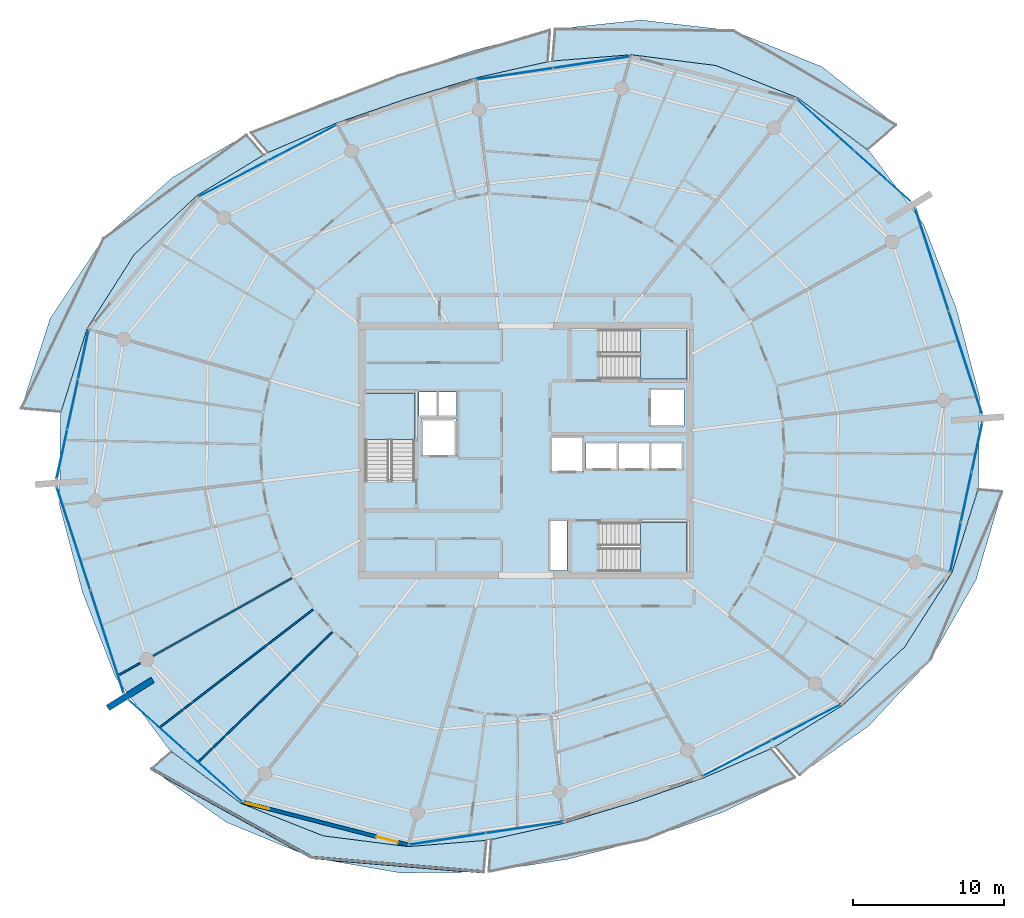
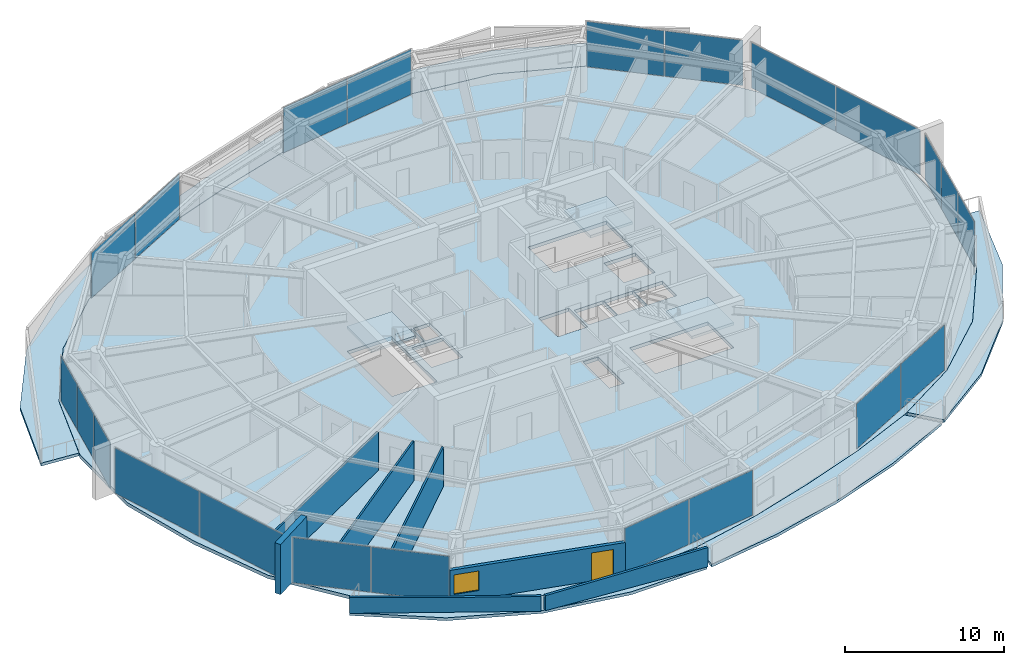
# One storey, part 17 of 30: 22 plates, 10 slabs, 7 walls, 1 door, 1 window, 2 openings, 13 elements without a shape of their own.
"""IFC4 building model written with IfcOpenShell, lengths in metres."""

import ifcopenshell
import ifcopenshell.guid

model = None  # the IFC model being written
_history = None  # IfcOwnerHistory: only IFC2X3 demands one
_inside = {}  # id of a spatial element -> (the spatial element, [elements in it])
_under = {}  # id of a project, library or spatial element -> (it, [spatial elements below it])
_declared = {}  # id of a project -> (the project, [libraries it declares])
_typed = {}  # id of a type object -> (the type object, [elements of that type])
_made_of = {}  # id of a material, layer set ... -> (it, [elements and type objects made of it])


def new_model(schema):
    """Start an empty IFC model of exactly this schema.

    Asked for "IFC4X3", IfcOpenShell would pick the latest addendum, in which some entities
    have other attributes; the version numbers below select the first issue.
    IFC2X3 requires an IfcOwnerHistory on every rooted entity: one is made here for all.
    """
    global model, _history
    if schema == "IFC4X3":
        model = ifcopenshell.file(schema_version=(4, 3, 0, 0))
    else:
        model = ifcopenshell.file(schema=schema)
    _inside.clear()
    _under.clear()
    _declared.clear()
    _typed.clear()
    _made_of.clear()
    _history = None
    if model.schema == "IFC2X3":
        org = make("IfcOrganization", Name="unknown")
        user = make(
            "IfcPersonAndOrganization",
            ThePerson=make("IfcPerson", FamilyName="unknown"),
            TheOrganization=org,
        )
        app = make(
            "IfcApplication",
            ApplicationDeveloper=org,
            Version="unknown",
            ApplicationFullName="unknown",
            ApplicationIdentifier="unknown",
        )
        _history = make(
            "IfcOwnerHistory",
            OwningUser=user,
            OwningApplication=app,
            ChangeAction="ADDED",
            CreationDate=0,
        )
    return model


def make(cls, **values):
    """One entity of the class cls with the attributes given. An attribute that is None is left unset."""
    return model.create_entity(
        cls, **{name: value for name, value in values.items() if value is not None}
    )


def rooted(cls, **values):
    """An entity with a GlobalId (a new one), such as an element, a storey or a relation."""
    return make(cls, GlobalId=ifcopenshell.guid.new(), OwnerHistory=_history, **values)


def si_unit(unit_type, name, prefix=None):
    """IfcSIUnit, for example si_unit("LENGTHUNIT", "METRE", prefix="MILLI")."""
    return make("IfcSIUnit", UnitType=unit_type, Prefix=prefix, Name=name)


def assignment(units):
    """IfcUnitAssignment: the units of a project."""
    return None if units is None else make("IfcUnitAssignment", Units=units)


def point(xyz):
    """IfcCartesianPoint."""
    return None if xyz is None else make("IfcCartesianPoint", Coordinates=xyz)


def direction(xyz):
    """IfcDirection."""
    return None if xyz is None else make("IfcDirection", DirectionRatios=xyz)


def frame(location, z_axis=None, x_axis=None):
    """IfcAxis2Placement3D, a coordinate frame: its origin and axes. An axis left out is left unset."""
    return make(
        "IfcAxis2Placement3D",
        Location=point(location),
        Axis=direction(z_axis),
        RefDirection=direction(x_axis),
    )


def frame_2d(location, x_axis=None):
    """IfcAxis2Placement2D, a coordinate frame in the plane: its origin and x axis."""
    return make(
        "IfcAxis2Placement2D", Location=point(location), RefDirection=direction(x_axis)
    )


def origin():
    """The frame at (0, 0, 0) with its axes left unset."""
    return frame((0.0, 0.0, 0.0))


def origin_2d():
    """The frame at (0, 0) in the plane with its x axis left unset."""
    return frame_2d((0.0, 0.0))


def place(relative_to, where):
    """IfcLocalPlacement: puts the frame where relative to a parent placement (None: the world)."""
    return make(
        "IfcLocalPlacement", PlacementRelTo=relative_to, RelativePlacement=where
    )


def context(
    kind, dimensions, precision=None, world=None, true_north=None, identifier=None
):
    """IfcGeometricRepresentationContext, for example the 3D "Model" context."""
    return make(
        "IfcGeometricRepresentationContext",
        ContextIdentifier=identifier,
        ContextType=kind,
        CoordinateSpaceDimension=dimensions,
        Precision=precision,
        WorldCoordinateSystem=world,
        TrueNorth=true_north,
    )


def subcontext(parent, identifier, kind, view, scale=None):
    """IfcGeometricRepresentationSubContext, for example "Body" below "Model"."""
    return make(
        "IfcGeometricRepresentationSubContext",
        ContextIdentifier=identifier,
        ContextType=kind,
        ParentContext=parent,
        TargetScale=scale,
        TargetView=view,
    )


def project(units=None, contexts=None):
    """IfcProject with its units and contexts."""
    return rooted(
        "IfcProject",
        Name="project",
        RepresentationContexts=contexts,
        UnitsInContext=assignment(units),
    )


def spatial(cls, under=None, at=None, **own):
    """A site, building, storey or space (cls), placed at a placement, below another one or the project."""
    s = rooted(cls, ObjectPlacement=at, **own)
    if under is not None:
        _under.setdefault(under.id(), (under, []))[1].append(s)
    return s


def polyline(points):
    """IfcPolyline through the points."""
    return make("IfcPolyline", Points=[point(p) for p in points])


def profile(cls, at=None, kind="AREA", **sizes):
    """A parametric profile (cls). Its sizes go by their IFC names, for example OverallWidth=200.0."""
    return make(cls, ProfileType=kind, Position=at, **sizes)


def rectangle(**sizes):
    """IfcRectangleProfileDef."""
    return profile("IfcRectangleProfileDef", **sizes)


def outline(outer, holes=None, kind="AREA"):
    """IfcArbitraryClosedProfileDef: a profile drawn as a closed curve; with holes, ...WithVoids."""
    if holes is None:
        return make("IfcArbitraryClosedProfileDef", ProfileType=kind, OuterCurve=outer)
    return make(
        "IfcArbitraryProfileDefWithVoids",
        ProfileType=kind,
        OuterCurve=outer,
        InnerCurves=holes,
    )


def extrude(swept, where, along, depth):
    """IfcExtrudedAreaSolid: the profile swept, set in the frame where, extruded along a direction by depth."""
    return make(
        "IfcExtrudedAreaSolid",
        SweptArea=swept,
        Position=where,
        ExtrudedDirection=direction(along),
        Depth=depth,
    )


def shape(context_of_items, identifier, shape_type, items):
    """IfcShapeRepresentation: the items that make up one representation, for example the "Body"."""
    return make(
        "IfcShapeRepresentation",
        ContextOfItems=context_of_items,
        RepresentationIdentifier=identifier,
        RepresentationType=shape_type,
        Items=items,
    )


def material(Name=None, Category=None):
    """IfcMaterial."""
    return make("IfcMaterial", Name=Name, Category=Category)


def layer(
    of_material, thickness, ventilated=None, Name=None, Category=None, Priority=None
):
    """IfcMaterialLayer: one layer of a wall or slab, of a material (None: an air gap)."""
    return make(
        "IfcMaterialLayer",
        Material=of_material,
        LayerThickness=thickness,
        IsVentilated=ventilated,
        Name=Name,
        Category=Category,
        Priority=Priority,
    )


def layer_set(layers, Name=None):
    """IfcMaterialLayerSet."""
    return make("IfcMaterialLayerSet", MaterialLayers=layers, LayerSetName=Name)


def made_of(thing, what):
    """Note that an element or type object is made of a material, layer set ...; save() writes the relation."""
    if what is not None:
        _made_of.setdefault(what.id(), (what, []))[1].append(thing)
    return thing


def type_object(cls, material=None, **own):
    """A type object (cls), such as IfcWallType, which elements share."""
    return made_of(rooted(cls, **own), material)


def element(
    cls,
    number,
    at=None,
    inside=None,
    cuts=None,
    type_object=None,
    material=None,
    context=None,
    identifier="Body",
    shape_type=None,
    held_by="IfcProductDefinitionShape",
    body=None,
    shapes=None,
    **own,
):
    """One element of the class cls, such as IfcWall. Its Tag is "e" and its number.

    at: its placement. inside: the storey or other place that contains it. cuts: it is an
    opening in that element (IfcRelVoidsElement). A single representation is given by context,
    identifier, shape_type and body (its items); several are given by shapes. held_by: the class
    of the entity that holds the representations. save() writes the other relations.
    """
    e = rooted(cls, Tag="e%d" % number, ObjectPlacement=at, **own)
    if body is not None:
        shapes = [shape(context, identifier, shape_type, body)]
    if shapes is not None:
        e.Representation = make(held_by, Representations=shapes)
    if inside is not None:
        _inside.setdefault(inside.id(), (inside, []))[1].append(e)
    if cuts is not None:
        rooted(
            "IfcRelVoidsElement", RelatingBuildingElement=cuts, RelatedOpeningElement=e
        )
    if type_object is not None:
        _typed.setdefault(type_object.id(), (type_object, []))[1].append(e)
    return made_of(e, material)


def fill(opening, filler):
    """IfcRelFillsElement: the door or window that sits in an opening."""
    return rooted(
        "IfcRelFillsElement",
        RelatingOpeningElement=opening,
        RelatedBuildingElement=filler,
    )


def aggregate(whole, parts):
    """IfcRelAggregates: a whole, such as a stair, and the parts it consists of."""
    return rooted("IfcRelAggregates", RelatingObject=whole, RelatedObjects=parts)


def save(model, path):
    """Write the relations noted so far, then the file.

    IfcRelAggregates (storeys below a building ...), IfcRelContainedInSpatialStructure (elements
    in a storey), IfcRelDefinesByType, IfcRelAssociatesMaterial and IfcRelDeclares: one each for
    every whole, place, type object, material and project.
    """
    for whole, parts in _under.values():
        aggregate(whole, parts)
    for where, things in _inside.values():
        rooted(
            "IfcRelContainedInSpatialStructure",
            RelatedElements=things,
            RelatingStructure=where,
        )
    for kind, things in _typed.values():
        rooted("IfcRelDefinesByType", RelatedObjects=things, RelatingType=kind)
    for what, things in _made_of.values():
        rooted("IfcRelAssociatesMaterial", RelatedObjects=things, RelatingMaterial=what)
    for by, libraries in _declared.values():
        rooted("IfcRelDeclares", RelatingContext=by, RelatedDefinitions=libraries)
    model.write(path)


model = new_model("IFC4")

# Units and contexts
model_context = context("Model", 3, precision=1e-05, world=origin(), true_north=direction((0.0, 1.0)))
body_context = subcontext(model_context, "Body", "Model", "MODEL_VIEW")
ifc_project = project(units=[si_unit("LENGTHUNIT", "METRE"), si_unit("AREAUNIT", "SQUARE_METRE"), si_unit("VOLUMEUNIT", "CUBIC_METRE"), si_unit("PLANEANGLEUNIT", "RADIAN"), si_unit("MASSUNIT", "GRAM", prefix="KILO")], contexts=[model_context])

# Site, building, storey
site_placement = place(None, origin())
site = spatial("IfcSite", under=ifc_project, at=site_placement, CompositionType="ELEMENT")
building_placement = place(site_placement, origin())
building = spatial("IfcBuilding", under=site, at=building_placement, Name="Kazma Halo Residences", CompositionType="ELEMENT")
storey_placement = place(building_placement, frame((0.0, 0.0, 290.60009765625)))
storey = spatial("IfcBuildingStorey", under=building, at=storey_placement, Name="L73", CompositionType="ELEMENT", Elevation=290.60009765625)

# Curtain wall, plates
ifc_material_1 = material(Name="Aluminium AW-6063 T6 and Triple-Silver Low-E Glass", Category="aluminium")
ifc_layer_1 = layer(ifc_material_1, 0.139892578125)
ifc_layer_set_1 = layer_set([ifc_layer_1], Name="Aluminium AW-6063 T6 and Triple-Silver Low-E Glass")
curtain_wall_type = type_object("IfcCurtainWallType", Name="CW-SYS-5", PredefinedType="NOTDEFINED", material=ifc_layer_set_1)
curtain_wall_1_placement = place(storey_placement, origin())
curtain_wall_1 = element("IfcCurtainWall", 1, at=curtain_wall_1_placement, inside=storey, type_object=curtain_wall_type, Name="L73 unitised curtain wall B01", PredefinedType="NOTDEFINED")
ifc_material_2 = material(Name="Clear Triple-Silver Low-E Glass IGU", Category="glass")
ifc_layer_2 = layer(ifc_material_2, 0.02587890625)
ifc_layer_set_2 = layer_set([ifc_layer_2], Name="Clear Triple-Silver Low-E Glass IGU")
plate_type = type_object("IfcPlateType", Name="CW-SYS-5-PNL", PredefinedType="CURTAIN_PANEL", material=ifc_layer_set_2)
plate_1_placement = place(storey_placement, frame((72.002685546875, 60.179443359375, 0.06005859375), z_axis=(0.0, 0.0, 1.0), x_axis=(-0.744336424671, 0.667804826958, 0.0)))
plate_1 = element("IfcPlate", 2, at=plate_1_placement, type_object=plate_type, Name="CWS-5 panel 1.1", PredefinedType="CURTAIN_PANEL", context=body_context, shape_type="SweptSolid", body=[
    extrude(rectangle(XDim=4.993408203125, YDim=0.02587890625, at=origin_2d()), origin(), (0.0, 0.0, 1.0), 3.469970703125),
])
plate_2_placement = place(storey_placement, frame((68.2412109375, 63.55419921875, 0.06005859375), z_axis=(0.0, 0.0, 1.0), x_axis=(-0.744336424671, 0.667804826958, 0.0)))
plate_2 = element("IfcPlate", 3, at=plate_2_placement, type_object=plate_type, Name="CWS-5 panel 2.1", PredefinedType="CURTAIN_PANEL", context=body_context, shape_type="SweptSolid", body=[
    extrude(rectangle(XDim=4.993408203125, YDim=0.02587890625, at=origin_2d()), origin(), (0.0, 0.0, 1.0), 3.469970703125),
])
aggregate(curtain_wall_1, [plate_1, plate_2])

curtain_wall_2_placement = place(storey_placement, origin())
curtain_wall_2 = element("IfcCurtainWall", 4, at=curtain_wall_2_placement, inside=storey, type_object=curtain_wall_type, Name="L73 unitised curtain wall B03", PredefinedType="NOTDEFINED")
plate_3_placement = place(storey_placement, frame((52.77783203125, 67.70361328125, 0.06005859375), z_axis=(0.0, 0.0, 1.0), x_axis=(-0.988882792998, -0.148697080374, 0.0)))
plate_3 = element("IfcPlate", 5, at=plate_3_placement, type_object=plate_type, Name="CWS-5 panel 1.1", PredefinedType="CURTAIN_PANEL", context=body_context, shape_type="SweptSolid", body=[
    extrude(rectangle(XDim=5.099853515625, YDim=0.02587890625, at=origin_2d()), origin(), (0.0, 0.0, 1.0), 3.469970703125),
])
plate_4_placement = place(storey_placement, frame((47.67529296875, 66.936279296875, 0.06005859375), z_axis=(0.0, 0.0, 1.0), x_axis=(-0.988882792998, -0.148697080374, 0.0)))
plate_4 = element("IfcPlate", 6, at=plate_4_placement, type_object=plate_type, Name="CWS-5 panel 2.1", PredefinedType="CURTAIN_PANEL", context=body_context, shape_type="SweptSolid", body=[
    extrude(rectangle(XDim=5.099853515625, YDim=0.02587890625, at=origin_2d()), origin(), (0.0, 0.0, 1.0), 3.469970703125),
])
aggregate(curtain_wall_2, [plate_3, plate_4])

curtain_wall_3_placement = place(storey_placement, origin())
curtain_wall_3 = element("IfcCurtainWall", 7, at=curtain_wall_3_placement, inside=storey, type_object=curtain_wall_type, Name="L73 unitised curtain wall B05", PredefinedType="NOTDEFINED")
plate_5_placement = place(storey_placement, frame((33.60546875, 62.36474609375, 0.06005859375), z_axis=(0.0, 0.0, 1.0), x_axis=(-0.887420518694, -0.460960760804, 0.0)))
plate_5 = element("IfcPlate", 8, at=plate_5_placement, type_object=plate_type, Name="CWS-5 panel 1.1", PredefinedType="CURTAIN_PANEL", context=body_context, shape_type="SweptSolid", body=[
    extrude(rectangle(XDim=5.099609375, YDim=0.02587890625, at=origin_2d()), origin(), (0.0, 0.0, 1.0), 3.469970703125),
])
plate_6_placement = place(storey_placement, frame((29.026611328125, 59.986328125, 0.06005859375), z_axis=(0.0, 0.0, 1.0), x_axis=(-0.887420518694, -0.460960760804, 0.0)))
plate_6 = element("IfcPlate", 9, at=plate_6_placement, type_object=plate_type, Name="CWS-5 panel 2.1", PredefinedType="CURTAIN_PANEL", context=body_context, shape_type="SweptSolid", body=[
    extrude(rectangle(XDim=5.099609375, YDim=0.02587890625, at=origin_2d()), origin(), (0.0, 0.0, 1.0), 3.469970703125),
])
aggregate(curtain_wall_3, [plate_5, plate_6])

curtain_wall_4_placement = place(storey_placement, origin())
curtain_wall_4 = element("IfcCurtainWall", 10, at=curtain_wall_4_placement, inside=storey, type_object=curtain_wall_type, Name="L73 unitised curtain wall B07", PredefinedType="NOTDEFINED")
plate_7_placement = place(storey_placement, frame((19.133056640625, 48.36865234375, 0.06005859375), z_axis=(0.0, 0.0, 1.0), x_axis=(-0.209657382603, -0.97777491373, 0.0)))
plate_7 = element("IfcPlate", 11, at=plate_7_placement, type_object=plate_type, Name="CWS-5 panel 1.1", PredefinedType="CURTAIN_PANEL", context=body_context, shape_type="SweptSolid", body=[
    extrude(rectangle(XDim=3.299072265625, YDim=0.02587890625, at=origin_2d()), origin(), (0.0, 0.0, 1.0), 3.469970703125),
])
plate_8_placement = place(storey_placement, frame((18.42578125, 45.069580078125, 0.06005859375), z_axis=(0.0, 0.0, 1.0), x_axis=(-0.209657382603, -0.97777491373, 0.0)))
plate_8 = element("IfcPlate", 12, at=plate_8_placement, type_object=plate_type, Name="CWS-5 panel 2.1", PredefinedType="CURTAIN_PANEL", context=body_context, shape_type="SweptSolid", body=[
    extrude(rectangle(XDim=3.3291015625, YDim=0.02587890625, at=origin_2d()), origin(), (0.0, 0.0, 1.0), 3.469970703125),
])
plate_9_placement = place(storey_placement, frame((17.71826171875, 41.7705078125, 0.06005859375), z_axis=(0.0, 0.0, 1.0), x_axis=(-0.209657382603, -0.97777491373, 0.0)))
plate_9 = element("IfcPlate", 13, at=plate_9_placement, type_object=plate_type, Name="CWS-5 panel 3.1", PredefinedType="CURTAIN_PANEL", context=body_context, shape_type="SweptSolid", body=[
    extrude(rectangle(XDim=3.299072265625, YDim=0.02587890625, at=origin_2d()), origin(), (0.0, 0.0, 1.0), 3.469970703125),
])
aggregate(curtain_wall_4, [plate_7, plate_8, plate_9])

curtain_wall_5_placement = place(storey_placement, origin())
curtain_wall_5 = element("IfcCurtainWall", 14, at=curtain_wall_5_placement, inside=storey, type_object=curtain_wall_type, Name="L73 unitised curtain wall B08", PredefinedType="NOTDEFINED")
plate_10_placement = place(storey_placement, frame((18.48486328125, 36.1787109375, 0.06005859375), z_axis=(0.0, 0.0, 1.0), x_axis=(0.309010998786, -0.951058464359, 0.0)))
plate_10 = element("IfcPlate", 15, at=plate_10_placement, type_object=plate_type, Name="CWS-5 panel 1.1", PredefinedType="CURTAIN_PANEL", context=body_context, shape_type="SweptSolid", body=[
    extrude(rectangle(XDim=7.108642578125, YDim=0.02587890625, at=origin_2d()), origin(), (0.0, 0.0, 1.0), 3.469970703125),
])
plate_11_placement = place(storey_placement, frame((20.699951171875, 29.36083984375, 0.06005859375), z_axis=(0.0, 0.0, 1.0), x_axis=(0.309010998786, -0.951058464359, 0.0)))
plate_11 = element("IfcPlate", 16, at=plate_11_placement, type_object=plate_type, Name="CWS-5 panel 2.1", PredefinedType="CURTAIN_PANEL", context=body_context, shape_type="SweptSolid", body=[
    extrude(rectangle(XDim=7.108642578125, YDim=0.02587890625, at=origin_2d()), origin(), (0.0, 0.0, 1.0), 3.469970703125),
])
aggregate(curtain_wall_5, [plate_10, plate_11])

curtain_wall_6_placement = place(storey_placement, origin())
curtain_wall_6 = element("IfcCurtainWall", 17, at=curtain_wall_6_placement, inside=storey, type_object=curtain_wall_type, Name="L73 unitised curtain wall B09", PredefinedType="NOTDEFINED")
plate_12_placement = place(storey_placement, frame((23.997314453125, 23.820556640625, 0.06005859375), z_axis=(0.0, 0.0, 1.0), x_axis=(0.744336424671, -0.667804826958, 0.0)))
plate_12 = element("IfcPlate", 18, at=plate_12_placement, type_object=plate_type, Name="CWS-5 panel 1.1", PredefinedType="CURTAIN_PANEL", context=body_context, shape_type="SweptSolid", body=[
    extrude(rectangle(XDim=4.993408203125, YDim=0.02587890625, at=origin_2d()), origin(), (0.0, 0.0, 1.0), 3.469970703125),
])
plate_13_placement = place(storey_placement, frame((27.7587890625, 20.44580078125, 0.06005859375), z_axis=(0.0, 0.0, 1.0), x_axis=(0.744336424671, -0.667804826958, 0.0)))
plate_13 = element("IfcPlate", 19, at=plate_13_placement, type_object=plate_type, Name="CWS-5 panel 2.1", PredefinedType="CURTAIN_PANEL", context=body_context, shape_type="SweptSolid", body=[
    extrude(rectangle(XDim=4.993408203125, YDim=0.02587890625, at=origin_2d()), origin(), (0.0, 0.0, 1.0), 3.469970703125),
])
aggregate(curtain_wall_6, [plate_12, plate_13])

curtain_wall_7_placement = place(storey_placement, origin())
curtain_wall_7 = element("IfcCurtainWall", 20, at=curtain_wall_7_placement, inside=storey, type_object=curtain_wall_type, Name="L73 unitised curtain wall B11", PredefinedType="NOTDEFINED")
plate_14_placement = place(storey_placement, frame((43.22216796875, 16.29638671875, 0.06005859375), z_axis=(0.0, 0.0, 1.0), x_axis=(0.988882792998, 0.148697080374, 0.0)))
plate_14 = element("IfcPlate", 21, at=plate_14_placement, type_object=plate_type, Name="CWS-5 panel 1.1", PredefinedType="CURTAIN_PANEL", context=body_context, shape_type="SweptSolid", body=[
    extrude(rectangle(XDim=5.099853515625, YDim=0.02587890625, at=origin_2d()), origin(), (0.0, 0.0, 1.0), 3.469970703125),
])
plate_15_placement = place(storey_placement, frame((48.32470703125, 17.063720703125, 0.06005859375), z_axis=(0.0, 0.0, 1.0), x_axis=(0.988882792998, 0.148697080374, 0.0)))
plate_15 = element("IfcPlate", 22, at=plate_15_placement, type_object=plate_type, Name="CWS-5 panel 2.1", PredefinedType="CURTAIN_PANEL", context=body_context, shape_type="SweptSolid", body=[
    extrude(rectangle(XDim=5.099853515625, YDim=0.02587890625, at=origin_2d()), origin(), (0.0, 0.0, 1.0), 3.469970703125),
])
aggregate(curtain_wall_7, [plate_14, plate_15])

curtain_wall_8_placement = place(storey_placement, origin())
curtain_wall_8 = element("IfcCurtainWall", 23, at=curtain_wall_8_placement, inside=storey, type_object=curtain_wall_type, Name="L73 unitised curtain wall B13", PredefinedType="NOTDEFINED")
plate_16_placement = place(storey_placement, frame((62.39453125, 21.63525390625, 0.06005859375), z_axis=(0.0, 0.0, 1.0), x_axis=(0.887420518694, 0.460960760804, 0.0)))
plate_16 = element("IfcPlate", 24, at=plate_16_placement, type_object=plate_type, Name="CWS-5 panel 1.1", PredefinedType="CURTAIN_PANEL", context=body_context, shape_type="SweptSolid", body=[
    extrude(rectangle(XDim=5.099609375, YDim=0.02587890625, at=origin_2d()), origin(), (0.0, 0.0, 1.0), 3.469970703125),
])
plate_17_placement = place(storey_placement, frame((66.973388671875, 24.013671875, 0.06005859375), z_axis=(0.0, 0.0, 1.0), x_axis=(0.887420518694, 0.460960760804, 0.0)))
plate_17 = element("IfcPlate", 25, at=plate_17_placement, type_object=plate_type, Name="CWS-5 panel 2.1", PredefinedType="CURTAIN_PANEL", context=body_context, shape_type="SweptSolid", body=[
    extrude(rectangle(XDim=5.099609375, YDim=0.02587890625, at=origin_2d()), origin(), (0.0, 0.0, 1.0), 3.469970703125),
])
aggregate(curtain_wall_8, [plate_16, plate_17])

curtain_wall_9_placement = place(storey_placement, origin())
curtain_wall_9 = element("IfcCurtainWall", 26, at=curtain_wall_9_placement, inside=storey, type_object=curtain_wall_type, Name="L73 unitised curtain wall B15", PredefinedType="NOTDEFINED")
plate_18_placement = place(storey_placement, frame((76.866943359375, 35.63134765625, 0.06005859375), z_axis=(0.0, 0.0, 1.0), x_axis=(0.209657382603, 0.97777491373, 0.0)))
plate_18 = element("IfcPlate", 27, at=plate_18_placement, type_object=plate_type, Name="CWS-5 panel 1.1", PredefinedType="CURTAIN_PANEL", context=body_context, shape_type="SweptSolid", body=[
    extrude(rectangle(XDim=3.299072265625, YDim=0.02587890625, at=origin_2d()), origin(), (0.0, 0.0, 1.0), 3.469970703125),
])
plate_19_placement = place(storey_placement, frame((77.57421875, 38.930419921875, 0.06005859375), z_axis=(0.0, 0.0, 1.0), x_axis=(0.209657382603, 0.97777491373, 0.0)))
plate_19 = element("IfcPlate", 28, at=plate_19_placement, type_object=plate_type, Name="CWS-5 panel 2.1", PredefinedType="CURTAIN_PANEL", context=body_context, shape_type="SweptSolid", body=[
    extrude(rectangle(XDim=3.3291015625, YDim=0.02587890625, at=origin_2d()), origin(), (0.0, 0.0, 1.0), 3.469970703125),
])
plate_20_placement = place(storey_placement, frame((78.28173828125, 42.2294921875, 0.06005859375), z_axis=(0.0, 0.0, 1.0), x_axis=(0.209657382603, 0.97777491373, 0.0)))
plate_20 = element("IfcPlate", 29, at=plate_20_placement, type_object=plate_type, Name="CWS-5 panel 3.1", PredefinedType="CURTAIN_PANEL", context=body_context, shape_type="SweptSolid", body=[
    extrude(rectangle(XDim=3.299072265625, YDim=0.02587890625, at=origin_2d()), origin(), (0.0, 0.0, 1.0), 3.469970703125),
])
aggregate(curtain_wall_9, [plate_18, plate_19, plate_20])

curtain_wall_10_placement = place(storey_placement, origin())
curtain_wall_10 = element("IfcCurtainWall", 30, at=curtain_wall_10_placement, inside=storey, type_object=curtain_wall_type, Name="L73 unitised curtain wall B16", PredefinedType="NOTDEFINED")
plate_21_placement = place(storey_placement, frame((77.51513671875, 47.8212890625, 0.06005859375), z_axis=(0.0, 0.0, 1.0), x_axis=(-0.309010998786, 0.951058464359, 0.0)))
plate_21 = element("IfcPlate", 31, at=plate_21_placement, type_object=plate_type, Name="CWS-5 panel 1.1", PredefinedType="CURTAIN_PANEL", context=body_context, shape_type="SweptSolid", body=[
    extrude(rectangle(XDim=7.108642578125, YDim=0.02587890625, at=origin_2d()), origin(), (0.0, 0.0, 1.0), 3.469970703125),
])
plate_22_placement = place(storey_placement, frame((75.300048828125, 54.63916015625, 0.06005859375), z_axis=(0.0, 0.0, 1.0), x_axis=(-0.309010998786, 0.951058464359, 0.0)))
plate_22 = element("IfcPlate", 32, at=plate_22_placement, type_object=plate_type, Name="CWS-5 panel 2.1", PredefinedType="CURTAIN_PANEL", context=body_context, shape_type="SweptSolid", body=[
    extrude(rectangle(XDim=7.108642578125, YDim=0.02587890625, at=origin_2d()), origin(), (0.0, 0.0, 1.0), 3.469970703125),
])
aggregate(curtain_wall_10, [plate_21, plate_22])

# Slabs
ifc_material_3 = material(Name="White Concrete C50/60", Category="concrete")
ifc_layer_3 = layer(ifc_material_3, 0.219970703125)
ifc_layer_set_3 = layer_set([ifc_layer_3], Name="White Concrete C50/60")
slab_type_1 = type_object("IfcSlabType", Name="SLB-BAL-WAVE-210", PredefinedType="FLOOR", material=ifc_layer_set_3)
slab_1_placement = place(storey_placement, frame((0.0, 0.0, -0.22021484375)))
element("IfcSlab", 33, at=slab_1_placement, inside=storey, type_object=slab_type_1, Name="L73 NE cantilevered wave balcony slab", PredefinedType="FLOOR", context=body_context, shape_type="SweptSolid", body=[
    extrude(outline(polyline([(71.0400390625, 61.9228515625), (66.41357421875, 65.357421875), (60.990478515625, 67.49560546875), (55.3916015625, 68.208984375), (50.188720703125, 67.794189453125), (50.367919921875, 69.906494140625), (56.03955078125, 70.50634765625), (62.1611328125, 69.79296875), (68.028076171875, 67.405517578125), (72.927490234375, 63.554931640625), (71.0400390625, 61.9228515625)])), origin(), (0.0, 0.0, 1.0), 0.22021484375),
])
slab_2_placement = place(storey_placement, frame((0.0, 0.0, -0.22021484375)))
element("IfcSlab", 34, at=slab_2_placement, inside=storey, type_object=slab_type_1, Name="L73 NNW cantilevered wave balcony slab", PredefinedType="FLOOR", context=body_context, shape_type="SweptSolid", body=[
    extrude(outline(polyline([(49.8681640625, 67.74609375), (45.080078125, 66.66943359375), (40.43994140625, 65.267333984375), (35.86181640625, 63.67431640625), (31.35546875, 61.731201171875), (30.2392578125, 63.05419921875), (35.0859375, 65.059814453125), (39.940185546875, 66.805908203125), (44.867431640625, 68.466064453125), (50.019775390625, 69.83642578125), (49.8681640625, 67.74609375)])), origin(), (0.0, 0.0, 1.0), 0.22021484375),
])
slab_3_placement = place(storey_placement, frame((0.0, 0.0, -0.22021484375)))
element("IfcSlab", 35, at=slab_3_placement, inside=storey, type_object=slab_type_1, Name="L73 NW cantilevered wave balcony slab", PredefinedType="FLOOR", context=body_context, shape_type="SweptSolid", body=[
    extrude(outline(polyline([(31.06787109375, 61.58154296875), (26.614501953125, 58.85888671875), (22.50439453125, 54.990478515625), (19.3740234375, 50.0732421875), (17.64990234375, 44.5751953125), (15.0185546875, 44.798583984375), (16.938720703125, 50.76025390625), (20.4580078125, 56.033447265625), (25.046630859375, 60.094970703125), (29.923583984375, 62.90478515625), (31.06787109375, 61.58154296875)])), origin(), (0.0, 0.0, 1.0), 0.22021484375),
])
slab_4_placement = place(storey_placement, frame((0.0, 0.0, -0.22021484375)))
element("IfcSlab", 36, at=slab_4_placement, inside=storey, type_object=slab_type_1, Name="L73 SW cantilevered wave balcony slab", PredefinedType="FLOOR", context=body_context, shape_type="SweptSolid", body=[
    extrude(outline(polyline([(24.9599609375, 22.0771484375), (29.58642578125, 18.642578125), (35.009521484375, 16.50439453125), (40.6083984375, 15.791015625), (45.811279296875, 16.205810546875), (45.6337890625, 14.112548828125), (40.1171875, 14.0498046875), (34.27490234375, 15.063232421875), (28.603515625, 17.3955078125), (23.638916015625, 20.934814453125), (24.9599609375, 22.0771484375)])), origin(), (0.0, 0.0, 1.0), 0.22021484375),
])
slab_5_placement = place(storey_placement, frame((0.0, 0.0, -0.22021484375)))
element("IfcSlab", 37, at=slab_5_placement, inside=storey, type_object=slab_type_1, Name="L73 SSE cantilevered wave balcony slab", PredefinedType="FLOOR", context=body_context, shape_type="SweptSolid", body=[
    extrude(outline(polyline([(46.1318359375, 16.25390625), (50.919921875, 17.33056640625), (55.56005859375, 18.732666015625), (60.13818359375, 20.32568359375), (64.64453125, 22.268798828125), (66.243408203125, 20.37353515625), (61.41259765625, 18.05029296875), (56.356689453125, 16.280517578125), (51.200439453125, 14.960205078125), (45.97900390625, 14.14453125), (46.1318359375, 16.25390625)])), origin(), (0.0, 0.0, 1.0), 0.22021484375),
])
slab_6_placement = place(storey_placement, frame((0.0, 0.0, -0.22021484375)))
element("IfcSlab", 38, at=slab_6_placement, inside=storey, type_object=slab_type_1, Name="L73 SE cantilevered wave balcony slab", PredefinedType="FLOOR", context=body_context, shape_type="SweptSolid", body=[
    extrude(outline(polyline([(64.93212890625, 22.41845703125), (69.385498046875, 25.14111328125), (73.49560546875, 29.009521484375), (76.6259765625, 33.9267578125), (78.35009765625, 39.4248046875), (79.9453125, 39.289306640625), (78.22900390625, 33.474609375), (75.1875, 28.147216796875), (71.112548828125, 23.779541015625), (66.54833984375, 20.54931640625), (64.93212890625, 22.41845703125)])), origin(), (0.0, 0.0, 1.0), 0.22021484375),
])
ifc_material_4 = material(Name="Concrete C50/60", Category="concrete")
ifc_layer_4 = layer(ifc_material_4, 0.260009765625)
ifc_layer_set_4 = layer_set([ifc_layer_4], Name="Concrete C50/60")
slab_type_2 = type_object("IfcSlabType", Name="SLB-RES-260", PredefinedType="FLOOR", material=ifc_layer_set_4)
slab_7_placement = place(storey_placement, frame((0.0, 0.0, -0.260009765625)))
element("IfcSlab", 39, at=slab_7_placement, inside=storey, type_object=slab_type_2, Name="L73 structural floor slab", PredefinedType="FLOOR", context=body_context, shape_type="SweptSolid", body=[
    extrude(outline(polyline([(76.9189453125, 51.396240234375), (74.749755859375, 56.980712890625), (71.180419921875, 61.7978515625), (66.412109375, 65.355712890625), (60.98974609375, 67.49365234375), (55.39111328125, 68.207275390625), (50.02880859375, 67.7783203125), (45.080322265625, 66.66748046875), (40.440673828125, 65.265380859375), (35.86279296875, 63.672607421875), (31.20654296875, 61.66259765625), (26.6162109375, 58.857666015625), (22.50634765625, 54.98974609375), (19.3759765625, 50.07275390625), (17.60986328125, 44.391845703125), (17.5537109375, 38.396484375), (19.0810546875, 32.603759765625), (21.250244140625, 27.019287109375), (24.819580078125, 22.2021484375), (29.587890625, 18.644287109375), (35.01025390625, 16.50634765625), (40.60888671875, 15.792724609375), (45.97119140625, 16.2216796875), (50.919677734375, 17.33251953125), (55.559326171875, 18.734619140625), (60.13720703125, 20.327392578125), (64.79345703125, 22.33740234375), (69.3837890625, 25.142333984375), (73.49365234375, 29.01025390625), (76.6240234375, 33.92724609375), (78.39013671875, 39.608154296875), (78.4462890625, 45.603515625), (76.9189453125, 51.396240234375)]), holes=[polyline([(37.800048828125, 40.110107421875), (41.050048828125, 40.110107421875), (41.050048828125, 45.800048828125), (37.800048828125, 45.800048828125), (37.800048828125, 40.110107421875)]), polyline([(53.360107421875, 46.75), (59.050048828125, 46.75), (59.050048828125, 50.0), (53.360107421875, 50.0), (53.360107421875, 46.75)]), polyline([(53.360107421875, 34.0), (59.050048828125, 34.0), (59.050048828125, 37.25), (53.360107421875, 37.25), (53.360107421875, 34.0)]), polyline([(41.52001953125, 41.6201171875), (43.780029296875, 41.6201171875), (43.780029296875, 44.080078125), (41.52001953125, 44.080078125), (41.52001953125, 41.6201171875)]), polyline([(56.6201171875, 43.6201171875), (58.8798828125, 43.6201171875), (58.8798828125, 46.080078125), (56.6201171875, 46.080078125), (56.6201171875, 43.6201171875)]), polyline([(52.39501953125, 40.7451171875), (54.5048828125, 40.7451171875), (54.5048828125, 42.554931640625), (52.39501953125, 42.554931640625), (52.39501953125, 40.7451171875)]), polyline([(54.544921875, 40.7451171875), (56.655029296875, 40.7451171875), (56.655029296875, 42.554931640625), (54.544921875, 42.554931640625), (54.544921875, 40.7451171875)]), polyline([(56.695068359375, 40.7451171875), (58.804931640625, 40.7451171875), (58.804931640625, 42.554931640625), (56.695068359375, 42.554931640625), (56.695068359375, 40.7451171875)]), polyline([(50.070068359375, 40.570068359375), (52.22998046875, 40.570068359375), (52.22998046875, 42.929931640625), (50.070068359375, 42.929931640625), (50.070068359375, 40.570068359375)]), polyline([(41.360107421875, 44.340087890625), (42.5400390625, 44.340087890625), (42.5400390625, 45.89990234375), (41.360107421875, 45.89990234375), (41.360107421875, 44.340087890625)]), polyline([(42.659912109375, 44.340087890625), (43.840087890625, 44.340087890625), (43.840087890625, 45.89990234375), (42.659912109375, 45.89990234375), (42.659912109375, 44.340087890625)]), polyline([(50.06005859375, 34.080078125), (51.159912109375, 34.080078125), (51.159912109375, 37.3798828125), (50.06005859375, 37.3798828125), (50.06005859375, 34.080078125)])]), origin(), (0.0, 0.0, 1.0), 0.260009765625),
])

# Stair, slab
stair_type = type_object("IfcStairType", Name="STR-RES2", PredefinedType="HALF_TURN_STAIR", material=ifc_material_4)
stair_1_placement = place(storey_placement, origin())
stair_1 = element("IfcStair", 40, at=stair_1_placement, inside=storey, type_object=stair_type, Name="L73 Core exit stair ST-01", PredefinedType="HALF_TURN_STAIR")
ifc_layer_5 = layer(ifc_material_4, 0.199951171875)
ifc_layer_set_5 = layer_set([ifc_layer_5], Name="Concrete C50/60")
slab_type_3 = type_object("IfcSlabType", Name="SLB-STAIR-LND-200", PredefinedType="LANDING", material=ifc_layer_set_5)
slab_8_placement = place(storey_placement, frame((0.0, 0.0, 1.724853515625)))
slab_8 = element("IfcSlab", 41, at=slab_8_placement, type_object=slab_type_3, Name="ST-01 landing 1", PredefinedType="LANDING", context=body_context, shape_type="SweptSolid", body=[
    extrude(outline(polyline([(41.050048828125, 42.75), (41.050048828125, 45.800048828125), (37.800048828125, 45.800048828125), (37.800048828125, 42.75), (41.050048828125, 42.75)])), origin(), (0.0, 0.0, 1.0), 0.199951171875),
])
aggregate(stair_1, [slab_8])

stair_2_placement = place(storey_placement, origin())
stair_2 = element("IfcStair", 42, at=stair_2_placement, inside=storey, type_object=stair_type, Name="L73 Core exit stair ST-02", PredefinedType="HALF_TURN_STAIR")
slab_9_placement = place(storey_placement, frame((0.0, 0.0, 1.724853515625)))
slab_9 = element("IfcSlab", 43, at=slab_9_placement, type_object=slab_type_3, Name="ST-02 landing 1", PredefinedType="LANDING", context=body_context, shape_type="SweptSolid", body=[
    extrude(outline(polyline([(56.0, 46.75), (59.050048828125, 46.75), (59.050048828125, 50.0), (56.0, 50.0), (56.0, 46.75)])), origin(), (0.0, 0.0, 1.0), 0.199951171875),
])
aggregate(stair_2, [slab_9])

stair_3_placement = place(storey_placement, origin())
stair_3 = element("IfcStair", 44, at=stair_3_placement, inside=storey, type_object=stair_type, Name="L73 Core exit stair ST-03", PredefinedType="HALF_TURN_STAIR")
slab_10_placement = place(storey_placement, frame((0.0, 0.0, 1.724853515625)))
slab_10 = element("IfcSlab", 45, at=slab_10_placement, type_object=slab_type_3, Name="ST-03 landing 1", PredefinedType="LANDING", context=body_context, shape_type="SweptSolid", body=[
    extrude(outline(polyline([(56.0, 34.0), (59.050048828125, 34.0), (59.050048828125, 37.25), (56.0, 37.25), (56.0, 34.0)])), origin(), (0.0, 0.0, 1.0), 0.199951171875),
])
aggregate(stair_3, [slab_10])

# Walls
ifc_material_5 = material(Name="White Concrete C50/60 Balustrade", Category="concrete")
ifc_layer_6 = layer(ifc_material_5, 0.179931640625)
ifc_layer_set_6 = layer_set([ifc_layer_6], Name="White Concrete C50/60 Balustrade")
wall_type_1 = type_object("IfcWallType", Name="WL-BAL-WAVE-180", PredefinedType="PARAPET", material=ifc_layer_set_6)
wall_1_placement = place(storey_placement, frame((23.638916015625, 20.934814453125, 0.0), z_axis=(0.0, 0.0, 1.0), x_axis=(0.875454216257, -0.483301060663, 0.0)))
element("IfcWall", 46, at=wall_1_placement, inside=storey, type_object=wall_type_1, Name="L73 white wave balustrade wall SW.1", PredefinedType="PARAPET", context=body_context, shape_type="SweptSolid", body=[
    extrude(outline(polyline([(0.0, 0.0), (12.029296875, 0.0), (12.029296875, 1.14794921875), (6.0146484375, 1.126953125), (0.0, 1.223876953125), (0.0, 0.0)])), frame((0.0, 0.08984375, 0.0), z_axis=(0.0, -1.0, 0.0), x_axis=(1.0, 0.0, 0.0)), (0.0, 0.0, 1.0), 0.179931640625),
])
wall_2_placement = place(storey_placement, frame((34.39453125, 15.05322265625, 0.0), z_axis=(0.0, 0.0, 1.0), x_axis=(0.99651583667, -0.083403760507, 0.0)))
element("IfcWall", 47, at=wall_2_placement, inside=storey, type_object=wall_type_1, Name="L73 white wave balustrade wall SW.2", PredefinedType="PARAPET", context=body_context, shape_type="SweptSolid", body=[
    extrude(outline(polyline([(0.0, 0.0), (11.278564453125, 0.0), (11.2783203125, 1.48291015625), (5.63916015625, 1.283935546875), (0.0, 1.14794921875), (0.0, 0.0)])), frame((0.0, 0.08984375, 0.0), z_axis=(0.0, -1.0, 0.0), x_axis=(1.0, 0.0, 0.0)), (0.0, 0.0, 1.0), 0.179931640625),
])
ifc_material_6 = material(Name="Pale Concrete C60/75", Category="concrete")
ifc_layer_7 = layer(ifc_material_6, 0.419921875)
ifc_layer_set_7 = layer_set([ifc_layer_7], Name="Pale Concrete C60/75")
wall_type_2 = type_object("IfcWallType", Name="WL-BLADE-420", PredefinedType="SOLIDWALL", material=ifc_layer_set_7)
wall_3_placement = place(storey_placement, frame((23.718505859375, 26.827392578125, 0.0), z_axis=(0.0, 0.0, 1.0), x_axis=(-0.848033572426, -0.529942506352, 0.0)))
element("IfcWall", 48, at=wall_3_placement, inside=storey, type_object=wall_type_2, Name="L73 pale concrete structural blade fin wall BW-03", PredefinedType="SOLIDWALL", context=body_context, shape_type="SweptSolid", body=[
    extrude(rectangle(XDim=3.5, YDim=0.419921875, at=frame_2d((1.75, 0.0))), origin(), (0.0, 0.0, 1.0), 3.849853515625),
])

# Wall, openings, door, window
ifc_material_7 = material(Name="Insulated Pale-Metal Composite Wall")
ifc_layer_8 = layer(ifc_material_7, 0.239990234375)
ifc_layer_set_8 = layer_set([ifc_layer_8], Name="Insulated Pale-Metal Composite Wall")
wall_type_3 = type_object("IfcWallType", Name="WL-EXT-HOST-240", PredefinedType="SOLIDWALL", material=ifc_layer_set_8)
wall_4_placement = place(storey_placement, frame((29.613525390625, 18.7509765625, 0.0), z_axis=(0.0, 0.0, 1.0), x_axis=(0.968343758421, -0.249620442927, 0.0)))
wall_4 = element("IfcWall", 49, at=wall_4_placement, inside=storey, type_object=wall_type_3, Name="L73 exterior terrace-access wall B10", PredefinedType="SOLIDWALL", context=body_context, shape_type="SweptSolid", body=[
    extrude(rectangle(XDim=11.438232421875, YDim=0.239990234375, at=frame_2d((5.71923828125, 0.0))), origin(), (0.0, 0.0, 1.0), 2.539794921875),
])
opening_1_placement = place(wall_4_placement, frame((9.21826171875, 0.0, 0.0)))
opening_1 = element("IfcOpeningElement", 50, at=opening_1_placement, cuts=wall_4, Name="Opening DTR-1600", PredefinedType="OPENING", context=body_context, shape_type="SweptSolid", body=[
    extrude(rectangle(XDim=1.449951171875, YDim=2.14990234375, at=frame_2d((0.72509765625, 1.074951171875))), frame((0.0, 0.1298828125, 0.0), z_axis=(0.0, -1.0, 0.0), x_axis=(1.0, 0.0, 0.0)), (0.0, 0.0, 1.0), 0.260009765625),
])
opening_2_placement = place(wall_4_placement, frame((0.280029296875, 0.0, 0.64990234375)))
opening_2 = element("IfcOpeningElement", 51, at=opening_2_placement, cuts=wall_4, Name="Opening W-1800", PredefinedType="OPENING", context=body_context, shape_type="SweptSolid", body=[
    extrude(rectangle(XDim=1.60009765625, YDim=1.5, at=frame_2d((0.800048828125, 0.75))), frame((0.0, 0.1298828125, 0.0), z_axis=(0.0, -1.0, 0.0), x_axis=(1.0, 0.0, 0.0)), (0.0, 0.0, 1.0), 0.260009765625),
])
ifc_material_8 = material(Name="Aluminium AW-6063 T6 Double-Glazed Terrace Door", Category="aluminium")
door_type = type_object("IfcDoorType", Name="DR-EXT-TERR-1600", OperationType="NOTDEFINED", PredefinedType="DOOR", material=ifc_material_8)
door_placement = place(opening_1_placement, origin())
door = element("IfcDoor", 52, at=door_placement, inside=storey, type_object=door_type, Name="L73 B10 balcony terrace door", OperationType="DOUBLE_DOOR_SLIDING", OverallHeight=2.14990234375, OverallWidth=1.449951171875, PredefinedType="DOOR", context=body_context, shape_type="SweptSolid", body=[
    extrude(rectangle(XDim=1.449951171875, YDim=2.14990234375, at=frame_2d((0.72509765625, 1.074951171875))), frame((0.0, 0.02490234375, 0.0), z_axis=(0.0, -1.0, 0.0), x_axis=(1.0, 0.0, 0.0)), (0.0, 0.0, 1.0), 0.050048828125),
])
fill(opening_1, door)
ifc_material_9 = material(Name="Clear Triple-Silver Low-E Glass in Aluminium AW-6063 T6 Frame", Category="aluminium")
window_type = type_object("IfcWindowType", Name="WIN-RES-1800", PartitioningType="DOUBLE_PANEL_VERTICAL", PredefinedType="WINDOW", material=ifc_material_9)
window_placement = place(opening_2_placement, origin())
window = element("IfcWindow", 53, at=window_placement, inside=storey, type_object=window_type, Name="L73 B10 apartment window", OverallHeight=1.5, OverallWidth=1.60009765625, PartitioningType="SINGLE_PANEL", PredefinedType="WINDOW", context=body_context, shape_type="SweptSolid", body=[
    extrude(rectangle(XDim=1.60009765625, YDim=1.5, at=frame_2d((0.800048828125, 0.75))), frame((0.0, 0.030029296875, 0.0), z_axis=(0.0, -1.0, 0.0), x_axis=(1.0, 0.0, 0.0)), (0.0, 0.0, 1.0), 0.06005859375),
])
fill(opening_2, window)

# Walls
ifc_material_10 = material(Name="Gypsum Plasterboard Partition")
ifc_layer_9 = layer(ifc_material_10, 0.125)
ifc_layer_set_9 = layer_set([ifc_layer_9], Name="Gypsum Plasterboard Partition")
wall_type_4 = type_object("IfcWallType", Name="WL-PART-125", PredefinedType="PARTITIONING", material=ifc_layer_set_9)
wall_5_placement = place(storey_placement, frame((32.94775390625, 33.5703125, 0.0), z_axis=(0.0, 0.0, 1.0), x_axis=(-0.872495274329, -0.488622549903, 0.0)))
element("IfcWall", 54, at=wall_5_placement, inside=storey, type_object=wall_type_4, Name="L73 Apartment 1 radial partition 8", PredefinedType="PARTITIONING", context=body_context, shape_type="SweptSolid", body=[
    extrude(rectangle(XDim=13.177734375, YDim=0.125, at=frame_2d((6.5888671875, 0.0))), origin(), (0.0, 0.0, 1.0), 2.956787109375),
])
wall_6_placement = place(storey_placement, frame((34.334716796875, 31.48583984375, 0.0), z_axis=(0.0, 0.0, 1.0), x_axis=(-0.792560168622, -0.609793718493, 0.0)))
element("IfcWall", 55, at=wall_6_placement, inside=storey, type_object=wall_type_4, Name="L73 Apartment 1 bay wall 1 8", PredefinedType="PARTITIONING", context=body_context, shape_type="SweptSolid", body=[
    extrude(rectangle(XDim=12.7998046875, YDim=0.125, at=frame_2d((6.39990234375, 0.0))), origin(), (0.0, 0.0, 1.0), 3.02978515625),
])
wall_7_placement = place(storey_placement, frame((35.6181640625, 30.001220703125, 0.0), z_axis=(0.0, 0.0, 1.0), x_axis=(-0.718124899013, -0.695914239988, 0.0)))
element("IfcWall", 56, at=wall_7_placement, inside=storey, type_object=wall_type_4, Name="L73 Apartment 1 bay wall 2 8", PredefinedType="PARTITIONING", context=body_context, shape_type="SweptSolid", body=[
    extrude(rectangle(XDim=12.365966796875, YDim=0.125, at=frame_2d((6.18310546875, 0.0))), origin(), (0.0, 0.0, 1.0), 3.02978515625),
])

save(model, "model.ifc")
